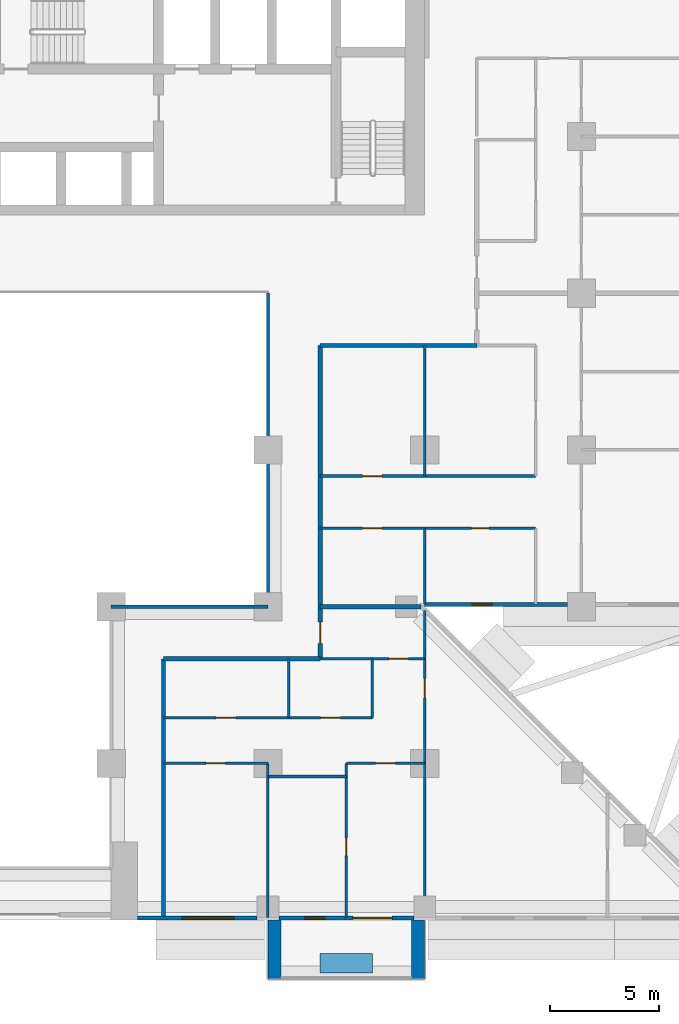
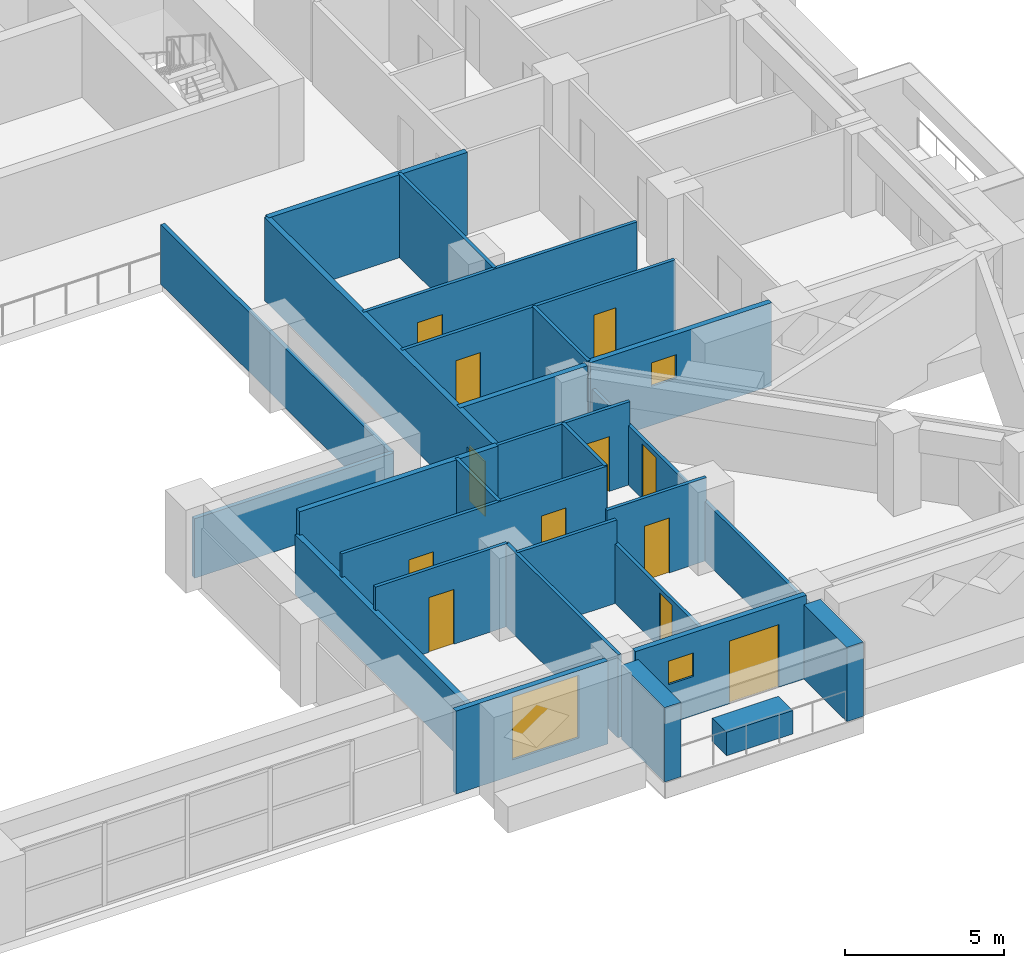
# One storey, part 8 of 17: 27 walls, 12 doors, 3 windows, 15 openings.
"""IFC4 building model written with IfcOpenShell, lengths in metres."""

from ifc_helpers import new_model, si_unit, direction, frame, frame_2d, origin, place, context, subcontext, project, spatial, rectangle, extrude, material, layer, layer_set, type_object, element, fill, save


model = new_model("IFC4")

# Units and contexts
model_context = context("Model", 3, precision=1e-05, world=origin(), true_north=direction((0.0, 1.0)))
body_context = subcontext(model_context, "Body", "Model", "MODEL_VIEW")
ifc_project = project(units=[si_unit("LENGTHUNIT", "METRE"), si_unit("AREAUNIT", "SQUARE_METRE"), si_unit("VOLUMEUNIT", "CUBIC_METRE"), si_unit("PLANEANGLEUNIT", "RADIAN"), si_unit("MASSUNIT", "GRAM", prefix="KILO")], contexts=[model_context])

# Site, building, storey
site_placement = place(None, origin())
site = spatial("IfcSite", under=ifc_project, at=site_placement, CompositionType="ELEMENT")
building_placement = place(site_placement, origin())
building = spatial("IfcBuilding", under=site, at=building_placement, Name="Saffron Iwan Residences", CompositionType="ELEMENT")
storey_placement = place(building_placement, frame((0.0, 0.0, 72.5)))
storey = spatial("IfcBuildingStorey", under=building, at=storey_placement, Name="L18", CompositionType="ELEMENT", Elevation=72.5)

# Walls
ifc_material_1 = material(Name="Fire-rated glazing", Category="glass")
ifc_layer_1 = layer(ifc_material_1, 0.14990234375)
ifc_layer_set_1 = layer_set([ifc_layer_1], Name="Fire-rated glazing")
wall_type_1 = type_object("IfcWallType", Name="Atrium glazed screen 150", PredefinedType="SOLIDWALL", material=ifc_layer_set_1)
wall_1_placement = place(storey_placement, frame((57.60009765625, 48.0, 0.0), z_axis=(0.0, 0.0, 1.0), x_axis=(1.0, 0.0, 0.0)))
element("IfcWall", 1, at=wall_1_placement, inside=storey, type_object=wall_type_1, Name="W-L18-SCREEN-h48-57.6", PredefinedType="SOLIDWALL", context=body_context, shape_type="SweptSolid", body=[
    extrude(rectangle(XDim=7.199951171875, YDim=0.14990234375, at=frame_2d((3.60009765625, 0.0))), origin(), (0.0, 0.0, 1.0), 2.280029296875),
])
wall_2_placement = place(storey_placement, frame((64.800048828125, 48.0, 0.0), z_axis=(0.0, 0.0, 1.0), x_axis=(0.0, 1.0, 0.0)))
element("IfcWall", 2, at=wall_2_placement, inside=storey, type_object=wall_type_1, Name="W-L18-SCREEN-v64.8-48", PredefinedType="SOLIDWALL", context=body_context, shape_type="SweptSolid", body=[
    extrude(rectangle(XDim=14.39990234375, YDim=0.14990234375, at=frame_2d((7.199951171875, 0.0))), origin(), (0.0, 0.0, 1.0), 2.280029296875),
])
ifc_material_2 = material(Name="Concrete C50/60 white painted", Category="concrete")
ifc_layer_2 = layer(ifc_material_2, 0.60009765625)
ifc_layer_set_2 = layer_set([ifc_layer_2], Name="Concrete C50/60 white painted")
wall_type_2 = type_object("IfcWallType", Name="BALCONY FIN 600", PredefinedType="SOLIDWALL", material=ifc_layer_set_2)
for number, where, z_axis, x_axis, name in (
    (3, (65.10009765625, 33.60009765625, 0.0), (0.0, 0.0, 1.0), (0.0, -1.0, 0.0), "Balcony fin L18 11-1a"),
    (4, (71.699951171875, 33.60009765625, 0.0), (0.0, 0.0, 1.0), (0.0, -1.0, 0.0), "Balcony fin L18 11-1b"),
):
    element("IfcWall", number, at=place(storey_placement, frame(where, z_axis=z_axis, x_axis=x_axis)), inside=storey, type_object=wall_type_2, Name=name, PredefinedType="SOLIDWALL", context=body_context, shape_type="SweptSolid", body=[
        extrude(rectangle(XDim=2.7001953125, YDim=0.60009765625, at=frame_2d((1.35009765625, 0.0))), origin(), (0.0, 0.0, 1.0), 2.85009765625),
    ])
ifc_material_3 = material(Name="Concrete C35/45 white painted", Category="concrete")
ifc_layer_3 = layer(ifc_material_3, 0.14990234375)
ifc_layer_set_3 = layer_set([ifc_layer_3], Name="Concrete C35/45 white painted")
wall_type_3 = type_object("IfcWallType", Name="BALCONY PLANTER", PredefinedType="SOLIDWALL", material=ifc_layer_set_3)
wall_3_placement = place(storey_placement, frame((67.199951171875, 31.625, 0.0), z_axis=(0.0, 0.0, 1.0), x_axis=(1.0, 0.0, 0.0)))
element("IfcWall", 5, at=wall_3_placement, inside=storey, type_object=wall_type_3, Name="PLANTER L18 11-1", PredefinedType="SOLIDWALL", context=body_context, shape_type="SweptSolid", body=[
    extrude(rectangle(XDim=2.400146484375, YDim=0.89990234375, at=frame_2d((1.2001953125, 0.0))), origin(), (0.0, 0.0, 1.0), 0.89990234375),
])

# Wall, opening, window
ifc_material_4 = material(Name="Concrete C40/50", Category="concrete")
ifc_layer_4 = layer(ifc_material_4, 0.199951171875)
ifc_layer_set_4 = layer_set([ifc_layer_4], Name="Concrete C40/50")
wall_type_4 = type_object("IfcWallType", Name="EXTERNAL WALL 200", PredefinedType="SOLIDWALL", material=ifc_layer_set_4)
wall_4_placement = place(storey_placement, frame((71.988525390625, 48.10009765625, 0.0), z_axis=(0.0, 0.0, 1.0), x_axis=(1.0, 0.0, 0.0)))
wall_4 = element("IfcWall", 6, at=wall_4_placement, inside=storey, type_object=wall_type_4, Name="External wall L18 F1.0", PredefinedType="SOLIDWALL", context=body_context, shape_type="SweptSolid", body=[
    extrude(rectangle(XDim=6.5615234375, YDim=0.199951171875, at=frame_2d((3.28076171875, 0.0))), origin(), (0.0, 0.0, 1.0), 3.179931640625),
])
opening_1_placement = place(wall_4_placement, frame((2.205810546875, 0.0, 1.5)))
opening_1 = element("IfcOpeningElement", 7, at=opening_1_placement, cuts=wall_4, Name="Opening W6", PredefinedType="OPENING", context=body_context, shape_type="SweptSolid", body=[
    extrude(rectangle(XDim=0.89990234375, YDim=0.89990234375, at=frame_2d((0.449951171875, 0.449951171875))), frame((0.0, 0.10986328125, 0.0), z_axis=(0.0, -1.0, 0.0), x_axis=(1.0, 0.0, 0.0)), (0.0, 0.0, 1.0), 0.219970703125),
])
ifc_material_5 = material(Name="Clear glass, laminated double glazed", Category="glass")
window_type_1 = type_object("IfcWindowType", Name="WINDOW 900 x 900 BATH", PartitioningType="SINGLE_PANEL", PredefinedType="WINDOW", material=ifc_material_5)
window_1_placement = place(opening_1_placement, origin())
window_1 = element("IfcWindow", 8, at=window_1_placement, inside=storey, type_object=window_type_1, Name="Window L18 F1.0", OverallHeight=0.89990234375, OverallWidth=0.89990234375, PartitioningType="SINGLE_PANEL", PredefinedType="WINDOW", context=body_context, shape_type="SweptSolid", body=[
    extrude(rectangle(XDim=0.89990234375, YDim=0.89990234375, at=frame_2d((0.449951171875, 0.449951171875))), frame((0.0, 0.030029296875, 0.0), z_axis=(0.0, -1.0, 0.0), x_axis=(1.0, 0.0, 0.0)), (0.0, 0.0, 1.0), 0.06005859375),
])
fill(opening_1, window_1)

wall_5_placement = place(storey_placement, frame((58.800048828125, 33.699951171875, 0.0), z_axis=(0.0, 0.0, 1.0), x_axis=(1.0, 0.0, 0.0)))
wall_5 = element("IfcWall", 9, at=wall_5_placement, inside=storey, type_object=wall_type_4, Name="External wall L18 F11.4", PredefinedType="SOLIDWALL", context=body_context, shape_type="SweptSolid", body=[
    extrude(rectangle(XDim=5.5, YDim=0.199951171875, at=frame_2d((2.75, 0.0))), origin(), (0.0, 0.0, 1.0), 3.179931640625),
])
opening_2_placement = place(wall_5_placement, frame((2.050048828125, 0.0, 0.60009765625)))
opening_2 = element("IfcOpeningElement", 10, at=opening_2_placement, cuts=wall_5, Name="Opening W1", PredefinedType="OPENING", context=body_context, shape_type="SweptSolid", body=[
    extrude(rectangle(XDim=2.39990234375, YDim=2.39990234375, at=frame_2d((1.199951171875, 1.199951171875))), frame((0.0, 0.10986328125, 0.0), z_axis=(0.0, -1.0, 0.0), x_axis=(1.0, 0.0, 0.0)), (0.0, 0.0, 1.0), 0.219970703125),
])
window_type_2 = type_object("IfcWindowType", Name="WINDOW 2400 x 2400", PartitioningType="DOUBLE_PANEL_VERTICAL", PredefinedType="WINDOW", material=ifc_material_5)
window_2_placement = place(opening_2_placement, origin())
window_2 = element("IfcWindow", 11, at=window_2_placement, inside=storey, type_object=window_type_2, Name="Window L18 F11.0", OverallHeight=2.39990234375, OverallWidth=2.39990234375, PartitioningType="DOUBLE_PANEL_VERTICAL", PredefinedType="WINDOW", context=body_context, shape_type="SweptSolid", body=[
    extrude(rectangle(XDim=2.39990234375, YDim=2.39990234375, at=frame_2d((1.199951171875, 1.199951171875))), frame((0.0, 0.030029296875, 0.0), z_axis=(0.0, -1.0, 0.0), x_axis=(1.0, 0.0, 0.0)), (0.0, 0.0, 1.0), 0.06005859375),
])
fill(opening_2, window_2)

# Wall, openings, door, window
wall_6_placement = place(storey_placement, frame((65.300048828125, 33.699951171875, 0.0), z_axis=(0.0, 0.0, 1.0), x_axis=(1.0, 0.0, 0.0)))
wall_6 = element("IfcWall", 12, at=wall_6_placement, inside=storey, type_object=wall_type_4, Name="External wall L18 F11.5", PredefinedType="SOLIDWALL", context=body_context, shape_type="SweptSolid", body=[
    extrude(rectangle(XDim=6.199951171875, YDim=0.199951171875, at=frame_2d((3.10009765625, 0.0))), origin(), (0.0, 0.0, 1.0), 3.179931640625),
])
opening_3_placement = place(wall_6_placement, frame((3.39990234375, 0.0, 0.0)))
opening_3 = element("IfcOpeningElement", 13, at=opening_3_placement, cuts=wall_6, Name="Opening BD1", PredefinedType="OPENING", context=body_context, shape_type="SweptSolid", body=[
    extrude(rectangle(XDim=1.800048828125, YDim=2.39990234375, at=frame_2d((0.89990234375, 1.199951171875))), frame((0.0, 0.10986328125, 0.0), z_axis=(0.0, -1.0, 0.0), x_axis=(1.0, 0.0, 0.0)), (0.0, 0.0, 1.0), 0.219970703125),
])
opening_4_placement = place(wall_6_placement, frame((1.199951171875, 0.0, 1.5)))
opening_4 = element("IfcOpeningElement", 14, at=opening_4_placement, cuts=wall_6, Name="Opening W6", PredefinedType="OPENING", context=body_context, shape_type="SweptSolid", body=[
    extrude(rectangle(XDim=0.89990234375, YDim=0.89990234375, at=frame_2d((0.449951171875, 0.449951171875))), frame((0.0, 0.10986328125, 0.0), z_axis=(0.0, -1.0, 0.0), x_axis=(1.0, 0.0, 0.0)), (0.0, 0.0, 1.0), 0.219970703125),
])
door_type_1 = type_object("IfcDoorType", Name="BALCONY DOOR 1800 x 2400", OperationType="DOUBLE_DOOR_SLIDING", PredefinedType="DOOR", material=ifc_material_5)
door_1_placement = place(opening_3_placement, origin())
door_1 = element("IfcDoor", 15, at=door_1_placement, inside=storey, type_object=door_type_1, Name="Balcony door L18 F11.0", OperationType="DOUBLE_DOOR_SLIDING", OverallHeight=2.39990234375, OverallWidth=1.800048828125, PredefinedType="DOOR", context=body_context, shape_type="SweptSolid", body=[
    extrude(rectangle(XDim=1.800048828125, YDim=2.39990234375, at=frame_2d((0.89990234375, 1.199951171875))), frame((0.0, 0.02490234375, 0.0), z_axis=(0.0, -1.0, 0.0), x_axis=(1.0, 0.0, 0.0)), (0.0, 0.0, 1.0), 0.050048828125),
])
fill(opening_3, door_1)
window_3_placement = place(opening_4_placement, origin())
window_3 = element("IfcWindow", 16, at=window_3_placement, inside=storey, type_object=window_type_1, Name="Window L18 F11.1", OverallHeight=0.89990234375, OverallWidth=0.89990234375, PartitioningType="SINGLE_PANEL", PredefinedType="WINDOW", context=body_context, shape_type="SweptSolid", body=[
    extrude(rectangle(XDim=0.89990234375, YDim=0.89990234375, at=frame_2d((0.449951171875, 0.449951171875))), frame((0.0, 0.030029296875, 0.0), z_axis=(0.0, -1.0, 0.0), x_axis=(1.0, 0.0, 0.0)), (0.0, 0.0, 1.0), 0.06005859375),
])
fill(opening_4, window_3)

# Walls
ifc_material_6 = material(Name="Fire-rated gypsum board wall")
ifc_layer_5 = layer(ifc_material_6, 0.199951171875)
ifc_layer_set_5 = layer_set([ifc_layer_5], Name="Fire-rated gypsum board wall")
wall_type_5 = type_object("IfcWallType", Name="Flat demising wall 200", PredefinedType="SOLIDWALL", material=ifc_layer_set_5)
wall_7_placement = place(storey_placement, frame((67.199951171875, 48.0, 0.0), z_axis=(0.0, 0.0, 1.0), x_axis=(1.0, 0.0, 0.0)))
element("IfcWall", 17, at=wall_7_placement, inside=storey, type_object=wall_type_5, Name="W-L18-DEMISE-h48-67.2", PredefinedType="SOLIDWALL", context=body_context, shape_type="SweptSolid", body=[
    extrude(rectangle(XDim=4.623046875, YDim=0.199951171875, at=frame_2d((2.3115234375, 0.0))), origin(), (0.0, 0.0, 1.0), 3.179931640625),
])
ifc_material_7 = material(Name="Gypsum board partition")
ifc_layer_6 = layer(ifc_material_7, 0.1201171875)
ifc_layer_set_6 = layer_set([ifc_layer_6], Name="Gypsum board partition")
wall_type_6 = type_object("IfcWallType", Name="Flat partition 120", PredefinedType="PARTITIONING", material=ifc_layer_set_6)
wall_8_placement = place(storey_placement, frame((64.800048828125, 40.199951171875, 0.0), z_axis=(0.0, 0.0, 1.0), x_axis=(1.0, 0.0, 0.0)))
element("IfcWall", 18, at=wall_8_placement, inside=storey, type_object=wall_type_6, Name="W-L18-PART-h40.2-64.8", PredefinedType="PARTITIONING", context=body_context, shape_type="SweptSolid", body=[
    extrude(rectangle(XDim=3.599853515625, YDim=0.1201171875, at=frame_2d((1.7998046875, 0.0))), origin(), (0.0, 0.0, 1.0), 3.179931640625),
])

# Wall, opening, door
wall_9_placement = place(storey_placement, frame((60.0, 40.800048828125, 0.0), z_axis=(0.0, 0.0, 1.0), x_axis=(1.0, 0.0, 0.0)))
wall_9 = element("IfcWall", 19, at=wall_9_placement, inside=storey, type_object=wall_type_6, Name="W-L18-PART-h40.8-60", PredefinedType="PARTITIONING", context=body_context, shape_type="SweptSolid", body=[
    extrude(rectangle(XDim=4.800048828125, YDim=0.1201171875, at=frame_2d((2.39990234375, 0.0))), origin(), (0.0, 0.0, 1.0), 3.179931640625),
])
opening_5_placement = place(wall_9_placement, frame((1.949951171875, 0.0, 0.0)))
opening_5 = element("IfcOpeningElement", 20, at=opening_5_placement, cuts=wall_9, Name="Opening FD2", PredefinedType="OPENING", context=body_context, shape_type="SweptSolid", body=[
    extrude(rectangle(XDim=0.89990234375, YDim=2.10009765625, at=frame_2d((0.449951171875, 1.050048828125))), frame((0.0, 0.070068359375, 0.0), z_axis=(0.0, -1.0, 0.0), x_axis=(1.0, 0.0, 0.0)), (0.0, 0.0, 1.0), 0.14013671875),
])
ifc_material_8 = material(Name="Timber door", Category="wood")
door_type_2 = type_object("IfcDoorType", Name="Flat door 900", OperationType="NOTDEFINED", PredefinedType="DOOR", material=ifc_material_8)
door_2_placement = place(opening_5_placement, origin())
door_2 = element("IfcDoor", 21, at=door_2_placement, inside=storey, type_object=door_type_2, Name="Door L18-047", OperationType="SINGLE_SWING_LEFT", OverallHeight=2.10009765625, OverallWidth=0.89990234375, PredefinedType="DOOR", context=body_context, shape_type="SweptSolid", body=[
    extrude(rectangle(XDim=0.89990234375, YDim=2.10009765625, at=frame_2d((0.449951171875, 1.050048828125))), frame((0.0, 0.02490234375, 0.0), z_axis=(0.0, -1.0, 0.0), x_axis=(1.0, 0.0, 0.0)), (0.0, 0.0, 1.0), 0.050048828125),
])
fill(opening_5, door_2)

wall_10_placement = place(storey_placement, frame((68.39990234375, 40.800048828125, 0.0), z_axis=(0.0, 0.0, 1.0), x_axis=(1.0, 0.0, 0.0)))
wall_10 = element("IfcWall", 22, at=wall_10_placement, inside=storey, type_object=wall_type_6, Name="W-L18-PART-h40.8-68.4", PredefinedType="PARTITIONING", context=body_context, shape_type="SweptSolid", body=[
    extrude(rectangle(XDim=3.60009765625, YDim=0.1201171875, at=frame_2d((1.800048828125, 0.0))), origin(), (0.0, 0.0, 1.0), 3.179931640625),
])
opening_6_placement = place(wall_10_placement, frame((1.35009765625, 0.0, 0.0)))
opening_6 = element("IfcOpeningElement", 23, at=opening_6_placement, cuts=wall_10, Name="Opening FD2", PredefinedType="OPENING", context=body_context, shape_type="SweptSolid", body=[
    extrude(rectangle(XDim=0.89990234375, YDim=2.10009765625, at=frame_2d((0.449951171875, 1.050048828125))), frame((0.0, 0.070068359375, 0.0), z_axis=(0.0, -1.0, 0.0), x_axis=(1.0, 0.0, 0.0)), (0.0, 0.0, 1.0), 0.14013671875),
])
door_3_placement = place(opening_6_placement, origin())
door_3 = element("IfcDoor", 24, at=door_3_placement, inside=storey, type_object=door_type_2, Name="Door L18-045", OperationType="SINGLE_SWING_LEFT", OverallHeight=2.10009765625, OverallWidth=0.89990234375, PredefinedType="DOOR", context=body_context, shape_type="SweptSolid", body=[
    extrude(rectangle(XDim=0.89990234375, YDim=2.10009765625, at=frame_2d((0.449951171875, 1.050048828125))), frame((0.0, 0.02490234375, 0.0), z_axis=(0.0, -1.0, 0.0), x_axis=(1.0, 0.0, 0.0)), (0.0, 0.0, 1.0), 0.050048828125),
])
fill(opening_6, door_3)

# Wall, openings, doors
wall_11_placement = place(storey_placement, frame((60.0, 42.89990234375, 0.0), z_axis=(0.0, 0.0, 1.0), x_axis=(1.0, 0.0, 0.0)))
wall_11 = element("IfcWall", 25, at=wall_11_placement, inside=storey, type_object=wall_type_6, Name="W-L18-PART-h42.9-60", PredefinedType="PARTITIONING", context=body_context, shape_type="SweptSolid", body=[
    extrude(rectangle(XDim=9.60009765625, YDim=0.1201171875, at=frame_2d((4.800048828125, 0.0))), origin(), (0.0, 0.0, 1.0), 3.179931640625),
])
opening_7_placement = place(wall_11_placement, frame((7.22509765625, 0.0, 0.0)))
opening_7 = element("IfcOpeningElement", 26, at=opening_7_placement, cuts=wall_11, Name="Opening FD2", PredefinedType="OPENING", context=body_context, shape_type="SweptSolid", body=[
    extrude(rectangle(XDim=0.89990234375, YDim=2.10009765625, at=frame_2d((0.449951171875, 1.050048828125))), frame((0.0, 0.070068359375, 0.0), z_axis=(0.0, -1.0, 0.0), x_axis=(1.0, 0.0, 0.0)), (0.0, 0.0, 1.0), 0.14013671875),
])
opening_8_placement = place(wall_11_placement, frame((2.425048828125, 0.0, 0.0)))
opening_8 = element("IfcOpeningElement", 27, at=opening_8_placement, cuts=wall_11, Name="Opening FD2", PredefinedType="OPENING", context=body_context, shape_type="SweptSolid", body=[
    extrude(rectangle(XDim=0.89990234375, YDim=2.10009765625, at=frame_2d((0.449951171875, 1.050048828125))), frame((0.0, 0.070068359375, 0.0), z_axis=(0.0, -1.0, 0.0), x_axis=(1.0, 0.0, 0.0)), (0.0, 0.0, 1.0), 0.14013671875),
])
door_4_placement = place(opening_7_placement, origin())
door_4 = element("IfcDoor", 28, at=door_4_placement, inside=storey, type_object=door_type_2, Name="Door L18-048", OperationType="SINGLE_SWING_LEFT", OverallHeight=2.10009765625, OverallWidth=0.89990234375, PredefinedType="DOOR", context=body_context, shape_type="SweptSolid", body=[
    extrude(rectangle(XDim=0.89990234375, YDim=2.10009765625, at=frame_2d((0.449951171875, 1.050048828125))), frame((0.0, 0.02490234375, 0.0), z_axis=(0.0, -1.0, 0.0), x_axis=(1.0, 0.0, 0.0)), (0.0, 0.0, 1.0), 0.050048828125),
])
fill(opening_7, door_4)
door_5_placement = place(opening_8_placement, origin())
door_5 = element("IfcDoor", 29, at=door_5_placement, inside=storey, type_object=door_type_2, Name="Door L18-049", OperationType="SINGLE_SWING_RIGHT", OverallHeight=2.10009765625, OverallWidth=0.89990234375, PredefinedType="DOOR", context=body_context, shape_type="SweptSolid", body=[
    extrude(rectangle(XDim=0.89990234375, YDim=2.10009765625, at=frame_2d((0.449951171875, 1.050048828125))), frame((0.0, 0.02490234375, 0.0), z_axis=(0.0, -1.0, 0.0), x_axis=(1.0, 0.0, 0.0)), (0.0, 0.0, 1.0), 0.050048828125),
])
fill(opening_8, door_5)

# Wall, opening, door
wall_12_placement = place(storey_placement, frame((67.199951171875, 45.60009765625, 0.0), z_axis=(0.0, 0.0, 1.0), x_axis=(1.0, 0.0, 0.0)))
wall_12 = element("IfcWall", 30, at=wall_12_placement, inside=storey, type_object=wall_type_6, Name="W-L18-PART-h45.6-67.2", PredefinedType="PARTITIONING", context=body_context, shape_type="SweptSolid", body=[
    extrude(rectangle(XDim=4.800048828125, YDim=0.1201171875, at=frame_2d((2.39990234375, 0.0))), origin(), (0.0, 0.0, 1.0), 3.179931640625),
])
opening_9_placement = place(wall_12_placement, frame((3.14990234375, 0.0, 0.0)))
opening_9 = element("IfcOpeningElement", 31, at=opening_9_placement, cuts=wall_12, Name="Opening FD2", PredefinedType="OPENING", context=body_context, shape_type="SweptSolid", body=[
    extrude(rectangle(XDim=0.89990234375, YDim=2.10009765625, at=frame_2d((0.449951171875, 1.050048828125))), frame((0.0, 0.070068359375, 0.0), z_axis=(0.0, -1.0, 0.0), x_axis=(1.0, 0.0, 0.0)), (0.0, 0.0, 1.0), 0.14013671875),
])
door_6_placement = place(opening_9_placement, origin())
door_6 = element("IfcDoor", 32, at=door_6_placement, inside=storey, type_object=door_type_2, Name="Door L18-043", OperationType="SINGLE_SWING_RIGHT", OverallHeight=2.10009765625, OverallWidth=0.89990234375, PredefinedType="DOOR", context=body_context, shape_type="SweptSolid", body=[
    extrude(rectangle(XDim=0.89990234375, YDim=2.10009765625, at=frame_2d((0.449951171875, 1.050048828125))), frame((0.0, 0.02490234375, 0.0), z_axis=(0.0, -1.0, 0.0), x_axis=(1.0, 0.0, 0.0)), (0.0, 0.0, 1.0), 0.050048828125),
])
fill(opening_9, door_6)

# Wall, openings, doors
wall_13_placement = place(storey_placement, frame((67.199951171875, 51.60009765625, 0.0), z_axis=(0.0, 0.0, 1.0), x_axis=(1.0, 0.0, 0.0)))
wall_13 = element("IfcWall", 33, at=wall_13_placement, inside=storey, type_object=wall_type_6, Name="W-L18-PART-h51.6-67.2", PredefinedType="PARTITIONING", context=body_context, shape_type="SweptSolid", body=[
    extrude(rectangle(XDim=9.900146484375, YDim=0.1201171875, at=frame_2d((4.9501953125, 0.0))), origin(), (0.0, 0.0, 1.0), 3.179931640625),
])
opening_10_placement = place(wall_13_placement, frame((6.949951171875, 0.0, 0.0)))
opening_10 = element("IfcOpeningElement", 34, at=opening_10_placement, cuts=wall_13, Name="Opening FD3", PredefinedType="OPENING", context=body_context, shape_type="SweptSolid", body=[
    extrude(rectangle(XDim=0.800048828125, YDim=2.10009765625, at=frame_2d((0.39990234375, 1.050048828125))), frame((0.0, 0.070068359375, 0.0), z_axis=(0.0, -1.0, 0.0), x_axis=(1.0, 0.0, 0.0)), (0.0, 0.0, 1.0), 0.14013671875),
])
opening_11_placement = place(wall_13_placement, frame((1.949951171875, 0.0, 0.0)))
opening_11 = element("IfcOpeningElement", 35, at=opening_11_placement, cuts=wall_13, Name="Opening FD2", PredefinedType="OPENING", context=body_context, shape_type="SweptSolid", body=[
    extrude(rectangle(XDim=0.89990234375, YDim=2.10009765625, at=frame_2d((0.449951171875, 1.050048828125))), frame((0.0, 0.070068359375, 0.0), z_axis=(0.0, -1.0, 0.0), x_axis=(1.0, 0.0, 0.0)), (0.0, 0.0, 1.0), 0.14013671875),
])
door_type_3 = type_object("IfcDoorType", Name="Bathroom door 800", OperationType="NOTDEFINED", PredefinedType="DOOR", material=ifc_material_8)
door_7_placement = place(opening_10_placement, origin())
door_7 = element("IfcDoor", 36, at=door_7_placement, inside=storey, type_object=door_type_3, Name="Door L18-025", OperationType="SINGLE_SWING_RIGHT", OverallHeight=2.10009765625, OverallWidth=0.800048828125, PredefinedType="DOOR", context=body_context, shape_type="SweptSolid", body=[
    extrude(rectangle(XDim=0.800048828125, YDim=2.10009765625, at=frame_2d((0.39990234375, 1.050048828125))), frame((0.0, 0.02490234375, 0.0), z_axis=(0.0, -1.0, 0.0), x_axis=(1.0, 0.0, 0.0)), (0.0, 0.0, 1.0), 0.050048828125),
])
fill(opening_10, door_7)
door_8_placement = place(opening_11_placement, origin())
door_8 = element("IfcDoor", 37, at=door_8_placement, inside=storey, type_object=door_type_2, Name="Door L18-027", OperationType="SINGLE_SWING_LEFT", OverallHeight=2.10009765625, OverallWidth=0.89990234375, PredefinedType="DOOR", context=body_context, shape_type="SweptSolid", body=[
    extrude(rectangle(XDim=0.89990234375, YDim=2.10009765625, at=frame_2d((0.449951171875, 1.050048828125))), frame((0.0, 0.02490234375, 0.0), z_axis=(0.0, -1.0, 0.0), x_axis=(1.0, 0.0, 0.0)), (0.0, 0.0, 1.0), 0.050048828125),
])
fill(opening_11, door_8)

# Wall, opening, door
wall_14_placement = place(storey_placement, frame((67.199951171875, 54.0, 0.0), z_axis=(0.0, 0.0, 1.0), x_axis=(1.0, 0.0, 0.0)))
wall_14 = element("IfcWall", 38, at=wall_14_placement, inside=storey, type_object=wall_type_6, Name="W-L18-PART-h54-67.2", PredefinedType="PARTITIONING", context=body_context, shape_type="SweptSolid", body=[
    extrude(rectangle(XDim=9.900146484375, YDim=0.1201171875, at=frame_2d((4.9501953125, 0.0))), origin(), (0.0, 0.0, 1.0), 3.179931640625),
])
opening_12_placement = place(wall_14_placement, frame((1.949951171875, 0.0, 0.0)))
opening_12 = element("IfcOpeningElement", 39, at=opening_12_placement, cuts=wall_14, Name="Opening FD2", PredefinedType="OPENING", context=body_context, shape_type="SweptSolid", body=[
    extrude(rectangle(XDim=0.89990234375, YDim=2.10009765625, at=frame_2d((0.449951171875, 1.050048828125))), frame((0.0, 0.070068359375, 0.0), z_axis=(0.0, -1.0, 0.0), x_axis=(1.0, 0.0, 0.0)), (0.0, 0.0, 1.0), 0.14013671875),
])
door_9_placement = place(opening_12_placement, origin())
door_9 = element("IfcDoor", 40, at=door_9_placement, inside=storey, type_object=door_type_2, Name="Door L18-028", OperationType="SINGLE_SWING_RIGHT", OverallHeight=2.10009765625, OverallWidth=0.89990234375, PredefinedType="DOOR", context=body_context, shape_type="SweptSolid", body=[
    extrude(rectangle(XDim=0.89990234375, YDim=2.10009765625, at=frame_2d((0.449951171875, 1.050048828125))), frame((0.0, 0.02490234375, 0.0), z_axis=(0.0, -1.0, 0.0), x_axis=(1.0, 0.0, 0.0)), (0.0, 0.0, 1.0), 0.050048828125),
])
fill(opening_12, door_9)

# Walls
wall_15_placement = place(storey_placement, frame((64.800048828125, 33.72509765625, 0.0), z_axis=(0.0, 0.0, 1.0), x_axis=(0.0, 1.0, 0.0)))
element("IfcWall", 41, at=wall_15_placement, inside=storey, type_object=wall_type_6, Name="W-L18-PART-v64.8-33.725", PredefinedType="PARTITIONING", context=body_context, shape_type="SweptSolid", body=[
    extrude(rectangle(XDim=7.074951171875, YDim=0.1201171875, at=frame_2d((3.53759765625, 0.0))), origin(), (0.0, 0.0, 1.0), 3.179931640625),
])
wall_16_placement = place(storey_placement, frame((65.75, 42.89990234375, 0.0), z_axis=(0.0, 0.0, 1.0), x_axis=(0.0, 1.0, 0.0)))
element("IfcWall", 42, at=wall_16_placement, inside=storey, type_object=wall_type_6, Name="W-L18-PART-v65.75-42.9", PredefinedType="PARTITIONING", context=body_context, shape_type="SweptSolid", body=[
    extrude(rectangle(XDim=2.7001953125, YDim=0.1201171875, at=frame_2d((1.35009765625, 0.0))), origin(), (0.0, 0.0, 1.0), 3.179931640625),
])

# Wall, opening, door
wall_17_placement = place(storey_placement, frame((68.39990234375, 33.72509765625, 0.0), z_axis=(0.0, 0.0, 1.0), x_axis=(0.0, 1.0, 0.0)))
wall_17 = element("IfcWall", 43, at=wall_17_placement, inside=storey, type_object=wall_type_6, Name="W-L18-PART-v68.4-33.725", PredefinedType="PARTITIONING", context=body_context, shape_type="SweptSolid", body=[
    extrude(rectangle(XDim=7.074951171875, YDim=0.1201171875, at=frame_2d((3.53759765625, 0.0))), origin(), (0.0, 0.0, 1.0), 2.280029296875),
])
opening_13_placement = place(wall_17_placement, frame((2.83740234375, 0.0, 0.0)))
opening_13 = element("IfcOpeningElement", 44, at=opening_13_placement, cuts=wall_17, Name="Opening FD3", PredefinedType="OPENING", context=body_context, shape_type="SweptSolid", body=[
    extrude(rectangle(XDim=0.800048828125, YDim=2.10009765625, at=frame_2d((0.39990234375, 1.050048828125))), frame((0.0, 0.070068359375, 0.0), z_axis=(0.0, -1.0, 0.0), x_axis=(1.0, 0.0, 0.0)), (0.0, 0.0, 1.0), 0.14013671875),
])
door_10_placement = place(opening_13_placement, origin())
door_10 = element("IfcDoor", 45, at=door_10_placement, inside=storey, type_object=door_type_3, Name="Door L18-046", OperationType="SINGLE_SWING_RIGHT", OverallHeight=2.10009765625, OverallWidth=0.800048828125, PredefinedType="DOOR", context=body_context, shape_type="SweptSolid", body=[
    extrude(rectangle(XDim=0.800048828125, YDim=2.10009765625, at=frame_2d((0.39990234375, 1.050048828125))), frame((0.0, 0.02490234375, 0.0), z_axis=(0.0, -1.0, 0.0), x_axis=(1.0, 0.0, 0.0)), (0.0, 0.0, 1.0), 0.050048828125),
])
fill(opening_13, door_10)

# Wall
wall_18_placement = place(storey_placement, frame((69.60009765625, 42.89990234375, 0.0), z_axis=(0.0, 0.0, 1.0), x_axis=(0.0, 1.0, 0.0)))
element("IfcWall", 46, at=wall_18_placement, inside=storey, type_object=wall_type_6, Name="W-L18-PART-v69.6-42.9", PredefinedType="PARTITIONING", context=body_context, shape_type="SweptSolid", body=[
    extrude(rectangle(XDim=2.7001953125, YDim=0.1201171875, at=frame_2d((1.35009765625, 0.0))), origin(), (0.0, 0.0, 1.0), 3.179931640625),
])

# Wall, opening, door
wall_19_placement = place(storey_placement, frame((72.0, 33.72509765625, 0.0), z_axis=(0.0, 0.0, 1.0), x_axis=(0.0, 1.0, 0.0)))
wall_19 = element("IfcWall", 47, at=wall_19_placement, inside=storey, type_object=wall_type_6, Name="W-L18-PART-v72-33.725", PredefinedType="PARTITIONING", context=body_context, shape_type="SweptSolid", body=[
    extrude(rectangle(XDim=14.097900390625, YDim=0.1201171875, at=frame_2d((7.048828125, 0.0))), origin(), (0.0, 0.0, 1.0), 2.280029296875),
])
opening_14_placement = place(wall_19_placement, frame((10.074951171875, 0.0, 0.0)))
opening_14 = element("IfcOpeningElement", 48, at=opening_14_placement, cuts=wall_19, Name="Opening FD2", PredefinedType="OPENING", context=body_context, shape_type="SweptSolid", body=[
    extrude(rectangle(XDim=0.89990234375, YDim=2.10009765625, at=frame_2d((0.449951171875, 1.050048828125))), frame((0.0, 0.070068359375, 0.0), z_axis=(0.0, -1.0, 0.0), x_axis=(1.0, 0.0, 0.0)), (0.0, 0.0, 1.0), 0.14013671875),
])
door_11_placement = place(opening_14_placement, origin())
door_11 = element("IfcDoor", 49, at=door_11_placement, inside=storey, type_object=door_type_2, Name="Door L18-050", OperationType="SINGLE_SWING_LEFT", OverallHeight=2.10009765625, OverallWidth=0.89990234375, PredefinedType="DOOR", context=body_context, shape_type="SweptSolid", body=[
    extrude(rectangle(XDim=0.89990234375, YDim=2.10009765625, at=frame_2d((0.449951171875, 1.050048828125))), frame((0.0, 0.02490234375, 0.0), z_axis=(0.0, -1.0, 0.0), x_axis=(1.0, 0.0, 0.0)), (0.0, 0.0, 1.0), 0.050048828125),
])
fill(opening_14, door_11)

# Walls
wall_20_placement = place(storey_placement, frame((72.0, 48.125, 0.0), z_axis=(0.0, 0.0, 1.0), x_axis=(0.0, 1.0, 0.0)))
element("IfcWall", 50, at=wall_20_placement, inside=storey, type_object=wall_type_6, Name="W-L18-PART-v72-48.125", PredefinedType="PARTITIONING", context=body_context, shape_type="SweptSolid", body=[
    extrude(rectangle(XDim=3.47509765625, YDim=0.1201171875, at=frame_2d((1.737548828125, 0.0))), origin(), (0.0, 0.0, 1.0), 3.179931640625),
])
wall_21_placement = place(storey_placement, frame((72.0, 54.0, 0.0), z_axis=(0.0, 0.0, 1.0), x_axis=(0.0, 1.0, 0.0)))
element("IfcWall", 51, at=wall_21_placement, inside=storey, type_object=wall_type_6, Name="W-L18-PART-v72-54", PredefinedType="PARTITIONING", context=body_context, shape_type="SweptSolid", body=[
    extrude(rectangle(XDim=6.0, YDim=0.1201171875, at=frame_2d((3.0, 0.0))), origin(), (0.0, 0.0, 1.0), 3.179931640625),
])
ifc_layer_7 = layer(ifc_material_6, 0.199951171875)
ifc_layer_set_7 = layer_set([ifc_layer_7], Name="Fire-rated gypsum board wall")
wall_type_7 = type_object("IfcWallType", Name="Gallery wall 200", PredefinedType="SOLIDWALL", material=ifc_layer_set_7)
for number, where, z_axis, x_axis, name in (
    (52, (60.0, 45.60009765625, 0.0), (0.0, 0.0, 1.0), (1.0, 0.0, 0.0), "W-L18-CORR-h45.6-60"),
    (53, (67.199951171875, 60.0, 0.0), (0.0, 0.0, 1.0), (1.0, 0.0, 0.0), "W-L18-CORR-h60-67.2"),
):
    element("IfcWall", number, at=place(storey_placement, frame(where, z_axis=z_axis, x_axis=x_axis)), inside=storey, type_object=wall_type_7, Name=name, PredefinedType="SOLIDWALL", context=body_context, shape_type="SweptSolid", body=[
        extrude(rectangle(XDim=7.199951171875, YDim=0.199951171875, at=frame_2d((3.60009765625, 0.0))), origin(), (0.0, 0.0, 1.0), 3.179931640625),
    ])
wall_22_placement = place(storey_placement, frame((60.0, 33.72509765625, 0.0), z_axis=(0.0, 0.0, 1.0), x_axis=(0.0, 1.0, 0.0)))
element("IfcWall", 54, at=wall_22_placement, inside=storey, type_object=wall_type_7, Name="W-L18-CORR-v60-33.725", PredefinedType="SOLIDWALL", context=body_context, shape_type="SweptSolid", body=[
    extrude(rectangle(XDim=11.875, YDim=0.199951171875, at=frame_2d((5.9375, 0.0))), origin(), (0.0, 0.0, 1.0), 2.280029296875),
])

# Wall, opening, door
wall_23_placement = place(storey_placement, frame((67.199951171875, 45.60009765625, 0.0), z_axis=(0.0, 0.0, 1.0), x_axis=(0.0, 1.0, 0.0)))
wall_23 = element("IfcWall", 55, at=wall_23_placement, inside=storey, type_object=wall_type_7, Name="W-L18-CORR-v67.2-45.6", PredefinedType="SOLIDWALL", context=body_context, shape_type="SweptSolid", body=[
    extrude(rectangle(XDim=14.39990234375, YDim=0.199951171875, at=frame_2d((7.199951171875, 0.0))), origin(), (0.0, 0.0, 1.0), 3.179931640625),
])
opening_15_placement = place(wall_23_placement, frame((0.699951171875, 0.0, 0.0)))
opening_15 = element("IfcOpeningElement", 56, at=opening_15_placement, cuts=wall_23, Name="Opening FD5", PredefinedType="OPENING", context=body_context, shape_type="SweptSolid", body=[
    extrude(rectangle(XDim=1.0, YDim=2.10009765625, at=frame_2d((0.5, 1.050048828125))), frame((0.0, 0.10986328125, 0.0), z_axis=(0.0, -1.0, 0.0), x_axis=(1.0, 0.0, 0.0)), (0.0, 0.0, 1.0), 0.219970703125),
])
ifc_material_9 = material(Name="Fire-rated timber door", Category="wood")
door_type_4 = type_object("IfcDoorType", Name="Lobby door 1000", OperationType="NOTDEFINED", PredefinedType="DOOR", material=ifc_material_9)
door_12_placement = place(opening_15_placement, origin())
door_12 = element("IfcDoor", 57, at=door_12_placement, inside=storey, type_object=door_type_4, Name="Door L18-044", OperationType="SINGLE_SWING_LEFT", OverallHeight=2.10009765625, OverallWidth=1.0, PredefinedType="DOOR", context=body_context, shape_type="SweptSolid", body=[
    extrude(rectangle(XDim=1.0, YDim=2.10009765625, at=frame_2d((0.5, 1.050048828125))), frame((0.0, 0.02490234375, 0.0), z_axis=(0.0, -1.0, 0.0), x_axis=(1.0, 0.0, 0.0)), (0.0, 0.0, 1.0), 0.050048828125),
])
fill(opening_15, door_12)

save(model, "model.ifc")
